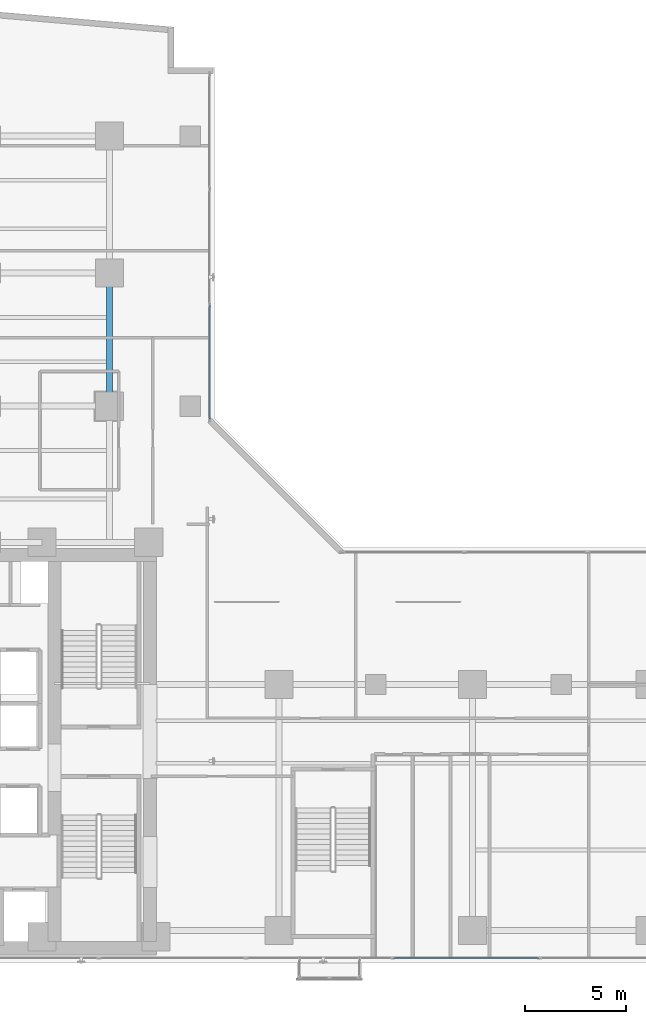
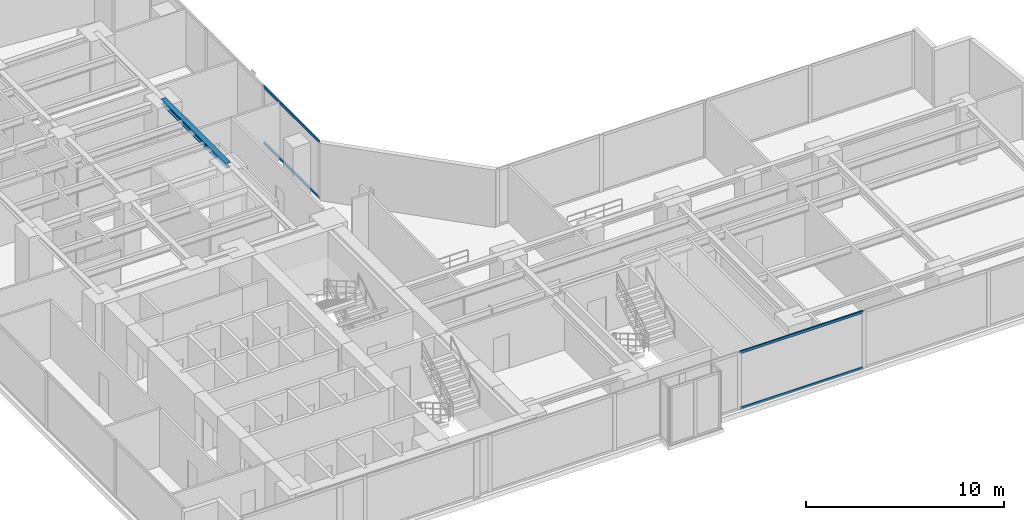
# One storey, part 10 of 26: 4 members, 1 beam, 2 elements without a shape of their own.
"""IFC4 building model written with IfcOpenShell, lengths in metres."""

from ifc_helpers import new_model, si_unit, direction, frame, origin, origin_with_axes, origin_2d, place, context, subcontext, project, spatial, hollow_rectangle, i_section, extrude, source, transform, mapped, material, layer, layer_set, material_profile, profile_set, type_object, element, aggregate, save


model = new_model("IFC4")

# Units and contexts
model_context = context("Model", 3, precision=1e-05, world=origin(), true_north=direction((0.0, 1.0)))
body_context = subcontext(model_context, "Body", "Model", "MODEL_VIEW")
ifc_project = project(units=[si_unit("LENGTHUNIT", "METRE"), si_unit("AREAUNIT", "SQUARE_METRE"), si_unit("VOLUMEUNIT", "CUBIC_METRE"), si_unit("PLANEANGLEUNIT", "RADIAN"), si_unit("MASSUNIT", "GRAM", prefix="KILO")], contexts=[model_context])

# Site, building, storey
site_placement = place(None, origin())
site = spatial("IfcSite", under=ifc_project, at=site_placement, CompositionType="ELEMENT")
building_placement = place(site_placement, origin())
building = spatial("IfcBuilding", under=site, at=building_placement, Name="Kolvaren Waterfront Exchange", CompositionType="ELEMENT")
storey_placement = place(building_placement, frame((0.0, 0.0, 110.699951171875)))
storey = spatial("IfcBuildingStorey", under=building, at=storey_placement, Name="L28", CompositionType="ELEMENT", Elevation=110.699951171875)

# Beam
ifc_material_1 = material(Name="Steel S355", Category="steel")
ifc_material_profile_1 = material_profile(ifc_material_1, i_section(OverallWidth=0.300048828125, OverallDepth=0.300048828125, WebThickness=0.010986328125, FlangeThickness=0.01904296875, FilletRadius=0.027099609375, at=origin_2d()), Name="HEB300")
ifc_profile_set_1 = profile_set([ifc_material_profile_1], Name="Steel S355")
beam_type = type_object("IfcBeamType", Name="STR-BM-HEB300", PredefinedType="SPANDREL", material=ifc_profile_set_1)
beam_placement = place(storey_placement, frame((18.800048828125, 31.199951171875, 3.39013671875), z_axis=(0.0, 1.0, 0.0), x_axis=(-1.0, 0.0, 0.0)))
element("IfcBeam", 1, at=beam_placement, inside=storey, type_object=beam_type, Name="L28 north-arm edge beam 2", PredefinedType="SPANDREL", context=body_context, shape_type="SweptSolid", body=[
    extrude(i_section(OverallWidth=0.300048828125, OverallDepth=0.300048828125, WebThickness=0.010986328125, FlangeThickness=0.01904296875, FilletRadius=0.027099609375, at=origin_2d()), origin(), (0.0, 0.0, 1.0), 6.60009765625),
])

# Curtain wall, members
ifc_material_2 = material(Name="Anodised bronze aluminium 6063-T6", Category="aluminium")
ifc_layer = layer(ifc_material_2, 0.219970703125, Name="Anodised bronze aluminium 6063-T6")
ifc_layer_set = layer_set([ifc_layer], Name="Anodised bronze aluminium 6063-T6")
curtain_wall_type = type_object("IfcCurtainWallType", Name="ARC-CW-SYS4", PredefinedType="USERDEFINED", material=ifc_layer_set)
curtain_wall_1_placement = place(storey_placement, origin())
curtain_wall_1 = element("IfcCurtainWall", 2, at=curtain_wall_1_placement, inside=storey, type_object=curtain_wall_type, Name="L28 stick curtain wall CW4 (CW-L28-NE)", ObjectType="STICK CURTAIN WALL", PredefinedType="USERDEFINED")
ifc_material_3 = material(Name="Anodised aluminium 6063-T6", Category="aluminium")
ifc_material_profile_2 = material_profile(ifc_material_3, hollow_rectangle(XDim=0.074951171875, YDim=0.159912109375, WallThickness=0.00439453125, at=origin_2d()), Name="ALU-TRN-160x75x4.5")
ifc_profile_set_2 = profile_set([ifc_material_profile_2], Name="Anodised aluminium 6063-T6")
member_type = type_object("IfcMemberType", Name="ARC-CWT-160", PredefinedType="USERDEFINED", material=ifc_profile_set_2)
shared_shape_1 = source(origin_with_axes(), body_context, "Body", "SweptSolid", [
    extrude(hollow_rectangle(XDim=0.074951171875, YDim=0.159912109375, WallThickness=0.00439453125, at=origin_2d()), origin(), (0.0, 0.0, 1.0), 5.61669921875),
])
member_1_placement = place(storey_placement, frame((23.760009765625, 30.570068359375, 0.03759765625), z_axis=(0.0, 1.0, 0.0), x_axis=(-1.0, 0.0, 0.0)))
member_1 = element("IfcMember", 3, at=member_1_placement, type_object=member_type, Name="CW4 transom 1.1", ObjectType="TRANSOM", PredefinedType="USERDEFINED", context=body_context, shape_type="MappedRepresentation", body=[
    mapped(shared_shape_1, transform((0.0, 0.0, 0.0), x_axis=(1.0, 0.0, 0.0), y_axis=(0.0, 1.0, 0.0), z_axis=(0.0, 0.0, 1.0), scale=1.0)),
])
member_2_placement = place(storey_placement, frame((23.760009765625, 30.570068359375, 3.50244140625), z_axis=(0.0, 1.0, 0.0), x_axis=(-1.0, 0.0, 0.0)))
member_2 = element("IfcMember", 4, at=member_2_placement, type_object=member_type, Name="CW4 transom 1.2", ObjectType="TRANSOM", PredefinedType="USERDEFINED", context=body_context, shape_type="MappedRepresentation", body=[
    mapped(shared_shape_1, transform((0.0, 0.0, 0.0), x_axis=(1.0, 0.0, 0.0), y_axis=(0.0, 1.0, 0.0), z_axis=(0.0, 0.0, 1.0), scale=1.0)),
])
aggregate(curtain_wall_1, [member_1, member_2])

curtain_wall_2_placement = place(storey_placement, origin())
curtain_wall_2 = element("IfcCurtainWall", 5, at=curtain_wall_2_placement, inside=storey, type_object=curtain_wall_type, Name="L28 stick curtain wall CW4 (CW-L28-S)", ObjectType="STICK CURTAIN WALL", PredefinedType="USERDEFINED")
shared_shape_2 = source(origin_with_axes(), body_context, "Body", "SweptSolid", [
    extrude(hollow_rectangle(XDim=0.074951171875, YDim=0.159912109375, WallThickness=0.00439453125, at=origin_2d()), origin(), (0.0, 0.0, 1.0), 7.205810546875),
])
member_3_placement = place(storey_placement, frame((32.8828125, 3.840087890625, 0.03759765625), z_axis=(1.0, 0.0, 0.0), x_axis=(0.0, 1.0, 0.0)))
member_3 = element("IfcMember", 6, at=member_3_placement, type_object=member_type, Name="CW4 transom 5.1", ObjectType="TRANSOM", PredefinedType="USERDEFINED", context=body_context, shape_type="MappedRepresentation", body=[
    mapped(shared_shape_2, transform((0.0, 0.0, 0.0), x_axis=(1.0, 0.0, 0.0), y_axis=(0.0, 1.0, 0.0), z_axis=(0.0, 0.0, 1.0), scale=1.0)),
])
member_4_placement = place(storey_placement, frame((32.8828125, 3.840087890625, 3.50244140625), z_axis=(1.0, 0.0, 0.0), x_axis=(0.0, 1.0, 0.0)))
member_4 = element("IfcMember", 7, at=member_4_placement, type_object=member_type, Name="CW4 transom 5.2", ObjectType="TRANSOM", PredefinedType="USERDEFINED", context=body_context, shape_type="MappedRepresentation", body=[
    mapped(shared_shape_2, transform((0.0, 0.0, 0.0), x_axis=(1.0, 0.0, 0.0), y_axis=(0.0, 1.0, 0.0), z_axis=(0.0, 0.0, 1.0), scale=1.0)),
])
aggregate(curtain_wall_2, [member_3, member_4])

save(model, "model.ifc")
